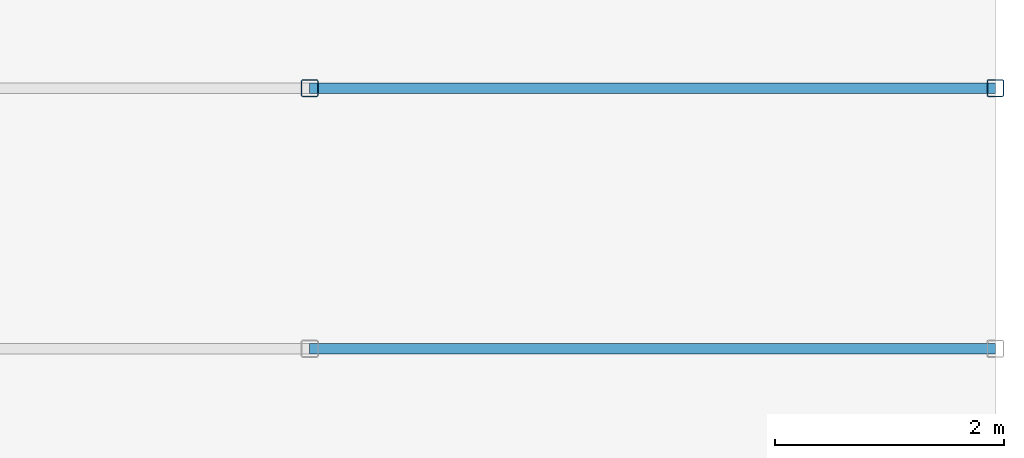
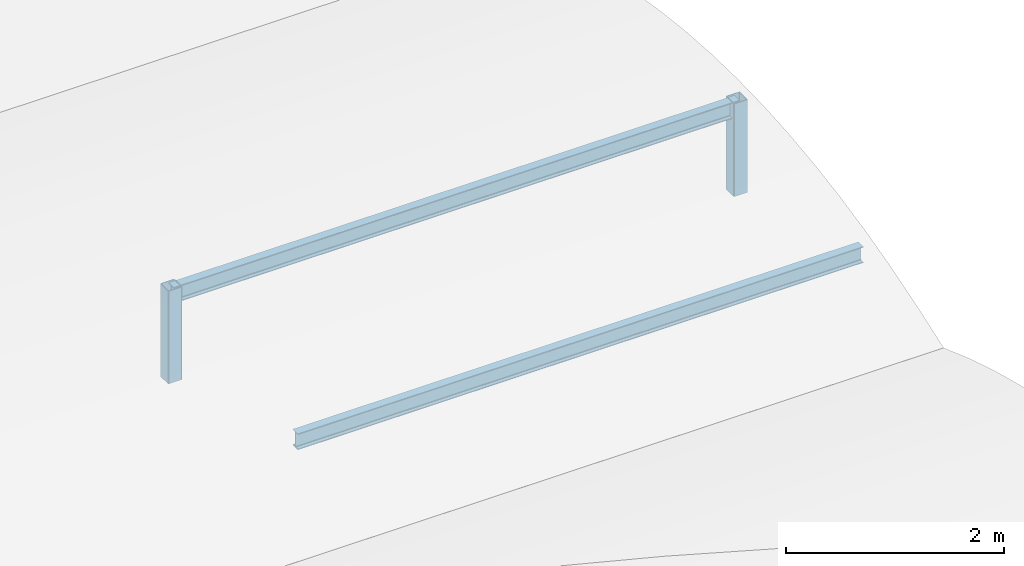
# One storey, part 67 of 113: 4 members.
"""IFC4 building model written with IfcOpenShell, lengths in metres."""

from ifc_helpers import new_model, si_unit, direction, frame, origin, origin_2d, place, context, subcontext, project, spatial, hollow_rectangle, i_section, extrude, material, material_profile, profile_set, type_object, element, save


model = new_model("IFC4")

# Units and contexts
model_context = context("Model", 3, precision=1e-05, world=origin(), true_north=direction((0.0, 1.0)))
body_context = subcontext(model_context, "Body", "Model", "MODEL_VIEW")
ifc_project = project(units=[si_unit("LENGTHUNIT", "METRE"), si_unit("AREAUNIT", "SQUARE_METRE"), si_unit("VOLUMEUNIT", "CUBIC_METRE"), si_unit("PLANEANGLEUNIT", "RADIAN"), si_unit("MASSUNIT", "GRAM", prefix="KILO")], contexts=[model_context])

# Site, building, storey
site_placement = place(None, origin())
site = spatial("IfcSite", under=ifc_project, at=site_placement, CompositionType="ELEMENT")
building_placement = place(site_placement, origin())
building = spatial("IfcBuilding", under=site, at=building_placement, Name="Shalkamar Park Central Library", CompositionType="ELEMENT")
storey_placement = place(building_placement, frame((0.0, 0.0, 5.39990234375)))
storey = spatial("IfcBuildingStorey", under=building, at=storey_placement, Name="L02", CompositionType="ELEMENT", Elevation=5.39990234375)

# Members
ifc_material = material(Name="Steel S355", Category="steel")
ifc_material_profile_1 = material_profile(ifc_material, hollow_rectangle(XDim=0.14990234375, YDim=0.14990234375, WallThickness=0.008056640625, InnerFilletRadius=0.008056640625, OuterFilletRadius=0.011962890625, at=origin_2d()), Name="SHS 150x150x8")
ifc_profile_set_1 = profile_set([ifc_material_profile_1], Name="Steel S355")
member_type_1 = type_object("IfcMemberType", Name="Diagonal Brace SHS150", PredefinedType="BRACE", material=ifc_profile_set_1)
for number, where, z_axis, x_axis, name in (
    (1, (282.0, 304.60009765625, -0.35986328125), (0.0, 0.0, 1.0), (1.0, 0.0, 0.0), "Vault Arch Post BV-L01-E7-21.2"),
    (2, (288.0, 304.60009765625, -0.35986328125), (0.0, 0.0, 1.0), (1.0, 0.0, 0.0), "Vault Arch Post BV-L01-E7-22.2"),
):
    element("IfcMember", number, at=place(storey_placement, frame(where, z_axis=z_axis, x_axis=x_axis)), inside=storey, type_object=member_type_1, Name=name, PredefinedType="BRACE", context=body_context, shape_type="SweptSolid", body=[
        extrude(hollow_rectangle(XDim=0.14990234375, YDim=0.14990234375, WallThickness=0.008056640625, InnerFilletRadius=0.008056640625, OuterFilletRadius=0.011962890625, at=origin_2d()), origin(), (0.0, 0.0, 1.0), 1.0400390625),
    ])
ifc_material_profile_2 = material_profile(ifc_material, i_section(OverallWidth=0.091064453125, OverallDepth=0.179931640625, WebThickness=0.00537109375, FlangeThickness=0.008056640625, FilletRadius=0.009033203125, at=origin_2d()), Name="IPE 180")
ifc_profile_set_2 = profile_set([ifc_material_profile_2], Name="Steel S355")
member_type_2 = type_object("IfcMemberType", Name="Roof Purlin IPE180", PredefinedType="PURLIN", material=ifc_profile_set_2)
for number, where, z_axis, x_axis, name in (
    (3, (282.0, 302.320068359375, 0.330810546875), (1.0, 0.0, 0.0), (0.0, 1.0, 0.0), "Barrel Roof Purlin BV-L01-E7-1.21"),
    (4, (282.0, 304.60009765625, 0.590087890625), (1.0, 0.0, 0.0), (0.0, 1.0, 0.0), "Barrel Roof Purlin BV-L01-E7-2.21"),
):
    element("IfcMember", number, at=place(storey_placement, frame(where, z_axis=z_axis, x_axis=x_axis)), inside=storey, type_object=member_type_2, Name=name, PredefinedType="PURLIN", context=body_context, shape_type="SweptSolid", body=[
        extrude(i_section(OverallWidth=0.091064453125, OverallDepth=0.179931640625, WebThickness=0.00537109375, FlangeThickness=0.008056640625, FilletRadius=0.009033203125, at=origin_2d()), origin(), (0.0, 0.0, 1.0), 6.0),
    ])

save(model, "model.ifc")
